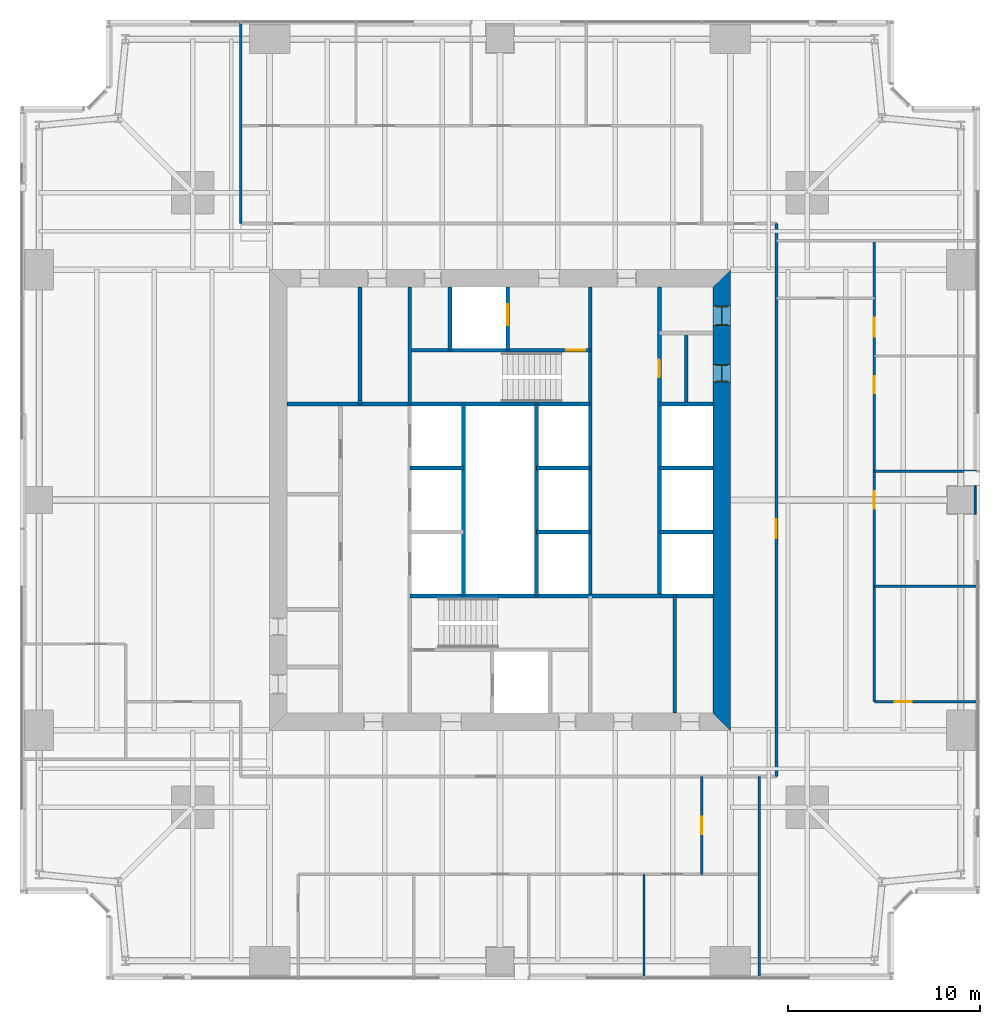
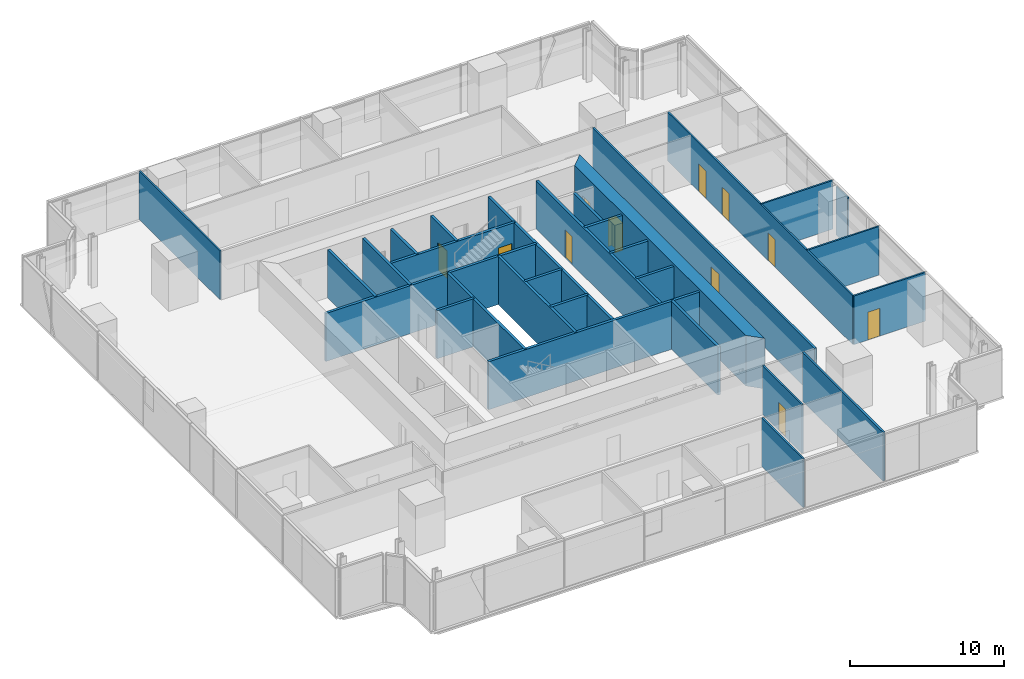
# One storey, part 10 of 13: 30 walls, 11 doors, 11 openings.
"""IFC4 building model written with IfcOpenShell, lengths in metres."""

from ifc_helpers import new_model, si_unit, direction, frame, frame_2d, origin, place, context, subcontext, project, spatial, polyline, rectangle, outline, extrude, material, layer, layer_set, type_object, element, fill, save


model = new_model("IFC4")

# Units and contexts
model_context = context("Model", 3, precision=1e-05, world=origin(), true_north=direction((0.0, 1.0)))
body_context = subcontext(model_context, "Body", "Model", "MODEL_VIEW")
ifc_project = project(units=[si_unit("LENGTHUNIT", "METRE"), si_unit("AREAUNIT", "SQUARE_METRE"), si_unit("VOLUMEUNIT", "CUBIC_METRE"), si_unit("PLANEANGLEUNIT", "RADIAN"), si_unit("MASSUNIT", "GRAM", prefix="KILO")], contexts=[model_context])

# Site, building, storey
site_placement = place(None, origin())
site = spatial("IfcSite", under=ifc_project, at=site_placement, CompositionType="ELEMENT")
building_placement = place(site_placement, origin())
building = spatial("IfcBuilding", under=site, at=building_placement, Name="Fenwick Lantern Interchange", CompositionType="ELEMENT")
storey_placement = place(building_placement, frame((0.0, 0.0, 110.39990234375)))
storey = spatial("IfcBuildingStorey", under=building, at=storey_placement, Name="L25", CompositionType="ELEMENT", Elevation=110.39990234375)

# Walls
ifc_material_1 = material(Name="Fire-rated gypsum board encasement on steel studs, 2 hour", Category="steel")
ifc_layer_1 = layer(ifc_material_1, 1.5)
ifc_layer_set_1 = layer_set([ifc_layer_1], Name="COLUMN PIER 1500")
wall_type_1 = type_object("IfcWallType", Name="COLUMN PIER 1500", PredefinedType="PARTITIONING", material=ifc_layer_set_1)
wall_1_placement = place(storey_placement, frame((49.800048828125, 25.0, 0.0), z_axis=(0.0, 0.0, 1.0), x_axis=(-1.0, 0.0, 0.0)))
element("IfcWall", 1, at=wall_1_placement, inside=storey, type_object=wall_type_1, Name="L25/W/PIER/CE3", PredefinedType="PARTITIONING", context=body_context, shape_type="SweptSolid", body=[
    extrude(rectangle(XDim=0.10009765625, YDim=1.5, at=frame_2d((0.050048828125, 0.0))), origin(), (0.0, 0.0, 1.0), 3.85009765625),
])
ifc_material_2 = material(Name="Concrete masonry ASTM C90 Grade N", Category="masonry")
ifc_layer_2 = layer(ifc_material_2, 0.199951171875)
ifc_layer_set_2 = layer_set([ifc_layer_2], Name="Concrete masonry ASTM C90 Grade N")
wall_type_2 = type_object("IfcWallType", Name="CORE PARTITION 200", PredefinedType="PARTITIONING", material=ifc_layer_set_2)
wall_2_placement = place(storey_placement, frame((20.300048828125, 26.666748046875, 0.0), z_axis=(0.0, 0.0, 1.0), x_axis=(1.0, 0.0, 0.0)))
element("IfcWall", 2, at=wall_2_placement, inside=storey, type_object=wall_type_2, Name="L25/W/CORES/e2", PredefinedType="PARTITIONING", context=body_context, shape_type="SweptSolid", body=[
    extrude(rectangle(XDim=2.800048828125, YDim=0.199951171875, at=frame_2d((1.39990234375, 0.0))), origin(), (0.0, 0.0, 1.0), 3.800048828125),
])
wall_3_placement = place(storey_placement, frame((23.10009765625, 20.0, 0.0), z_axis=(0.0, 0.0, 1.0), x_axis=(0.0, 1.0, 0.0)))
element("IfcWall", 3, at=wall_3_placement, inside=storey, type_object=wall_type_2, Name="L25/W/CORES/e3", PredefinedType="PARTITIONING", context=body_context, shape_type="SweptSolid", body=[
    extrude(rectangle(XDim=10.0, YDim=0.199951171875, at=frame_2d((5.0, 0.0))), origin(), (0.0, 0.0, 1.0), 3.800048828125),
])
wall_4_placement = place(storey_placement, frame((34.10009765625, 13.89990234375, 0.0), z_axis=(0.0, 0.0, 1.0), x_axis=(0.0, 1.0, 0.0)))
element("IfcWall", 4, at=wall_4_placement, inside=storey, type_object=wall_type_2, Name="L25/W/CORES/i2", PredefinedType="PARTITIONING", context=body_context, shape_type="SweptSolid", body=[
    extrude(rectangle(XDim=6.10009765625, YDim=0.199951171875, at=frame_2d((3.050048828125, 0.0))), origin(), (0.0, 0.0, 1.0), 3.800048828125),
])

# Wall, opening, door
wall_5_placement = place(storey_placement, frame((33.300048828125, 36.10009765625, 0.0), z_axis=(0.0, 0.0, 1.0), x_axis=(0.0, -1.0, 0.0)))
wall_5 = element("IfcWall", 5, at=wall_5_placement, inside=storey, type_object=wall_type_2, Name="L25/W/COREN/a", PredefinedType="PARTITIONING", context=body_context, shape_type="SweptSolid", body=[
    extrude(rectangle(XDim=16.10009765625, YDim=0.199951171875, at=frame_2d((8.050048828125, 0.0))), origin(), (0.0, 0.0, 1.0), 3.800048828125),
])
opening_1_placement = place(wall_5_placement, frame((3.800048828125, 0.0, 0.0)))
opening_1 = element("IfcOpeningElement", 6, at=opening_1_placement, cuts=wall_5, Name="Opening L25-D018", PredefinedType="OPENING", context=body_context, shape_type="SweptSolid", body=[
    extrude(rectangle(XDim=0.89990234375, YDim=2.199951171875, at=frame_2d((0.449951171875, 1.10009765625))), frame((0.0, 0.10986328125, 0.0), z_axis=(0.0, -1.0, 0.0), x_axis=(1.0, 0.0, 0.0)), (0.0, 0.0, 1.0), 0.219970703125),
])
ifc_material_3 = material(Name="Steel door and frame", Category="steel")
door_type_1 = type_object("IfcDoorType", Name="SERVICE DOOR 900 X 2200", OperationType="SINGLE_SWING_LEFT", PredefinedType="DOOR", material=ifc_material_3)
door_1_placement = place(opening_1_placement, origin())
door_1 = element("IfcDoor", 7, at=door_1_placement, inside=storey, type_object=door_type_1, Name="Service door", OperationType="SINGLE_SWING_LEFT", OverallHeight=2.199951171875, OverallWidth=0.89990234375, PredefinedType="DOOR", context=body_context, shape_type="SweptSolid", body=[
    extrude(rectangle(XDim=0.89990234375, YDim=2.199951171875, at=frame_2d((0.449951171875, 1.10009765625))), frame((0.0, 0.02490234375, 0.0), z_axis=(0.0, -1.0, 0.0), x_axis=(1.0, 0.0, 0.0)), (0.0, 0.0, 1.0), 0.050048828125),
])
fill(opening_1, door_1)

# Walls
for number, where, z_axis, x_axis, name in (
    (8, (36.10009765625, 30.0, 0.0), (0.0, 0.0, 1.0), (-1.0, 0.0, 0.0), "L25/W/COREN/c2"),
    (9, (36.10009765625, 26.666748046875, 0.0), (0.0, 0.0, 1.0), (-1.0, 0.0, 0.0), "L25/W/COREN/d1"),
    (10, (36.10009765625, 23.333251953125, 0.0), (0.0, 0.0, 1.0), (-1.0, 0.0, 0.0), "L25/W/COREN/d2"),
    (11, (29.699951171875, 26.666748046875, 0.0), (0.0, 0.0, 1.0), (-1.0, 0.0, 0.0), "L25/W/COREN/e1"),
    (12, (29.699951171875, 23.333251953125, 0.0), (0.0, 0.0, 1.0), (-1.0, 0.0, 0.0), "L25/W/COREN/e2"),
):
    element("IfcWall", number, at=place(storey_placement, frame(where, z_axis=z_axis, x_axis=x_axis)), inside=storey, type_object=wall_type_2, Name=name, PredefinedType="PARTITIONING", context=body_context, shape_type="SweptSolid", body=[
        extrude(rectangle(XDim=2.800048828125, YDim=0.199951171875, at=frame_2d((1.39990234375, 0.0))), origin(), (0.0, 0.0, 1.0), 3.800048828125),
    ])
wall_6_placement = place(storey_placement, frame((26.89990234375, 30.0, 0.0), z_axis=(0.0, 0.0, 1.0), x_axis=(0.0, -1.0, 0.0)))
element("IfcWall", 13, at=wall_6_placement, inside=storey, type_object=wall_type_2, Name="L25/W/COREN/e3", PredefinedType="PARTITIONING", context=body_context, shape_type="SweptSolid", body=[
    extrude(rectangle(XDim=10.0, YDim=0.199951171875, at=frame_2d((5.0, 0.0))), origin(), (0.0, 0.0, 1.0), 3.800048828125),
])

# Wall, opening, door
wall_7_placement = place(storey_placement, frame((25.39990234375, 36.10009765625, 0.0), z_axis=(0.0, 0.0, 1.0), x_axis=(0.0, -1.0, 0.0)))
wall_7 = element("IfcWall", 14, at=wall_7_placement, inside=storey, type_object=wall_type_2, Name="L25/W/COREN/h1", PredefinedType="PARTITIONING", context=body_context, shape_type="SweptSolid", body=[
    extrude(rectangle(XDim=3.300048828125, YDim=0.199951171875, at=frame_2d((1.64990234375, 0.0))), origin(), (0.0, 0.0, 1.0), 3.800048828125),
])
opening_2_placement = place(wall_7_placement, frame((0.89990234375, 0.0, 0.0)))
opening_2 = element("IfcOpeningElement", 15, at=opening_2_placement, cuts=wall_7, Name="Opening LD-FL2", PredefinedType="OPENING", context=body_context, shape_type="SweptSolid", body=[
    extrude(rectangle(XDim=1.10009765625, YDim=2.199951171875, at=frame_2d((0.550048828125, 1.10009765625))), frame((0.0, 0.10986328125, 0.0), z_axis=(0.0, -1.0, 0.0), x_axis=(1.0, 0.0, 0.0)), (0.0, 0.0, 1.0), 0.219970703125),
])
door_type_2 = type_object("IfcDoorType", Name="LIFT LANDING DOOR 1100 X 2200", OperationType="DOUBLE_DOOR_SLIDING", PredefinedType="DOOR", material=ifc_material_3)
door_2_placement = place(opening_2_placement, origin())
door_2 = element("IfcDoor", 16, at=door_2_placement, inside=storey, type_object=door_type_2, Name="Lift landing door FL2", OperationType="DOUBLE_DOOR_SLIDING", OverallHeight=2.199951171875, OverallWidth=1.10009765625, PredefinedType="DOOR", context=body_context, shape_type="SweptSolid", body=[
    extrude(rectangle(XDim=1.10009765625, YDim=2.199951171875, at=frame_2d((0.550048828125, 1.10009765625))), frame((0.0, 0.02490234375, 0.0), z_axis=(0.0, -1.0, 0.0), x_axis=(1.0, 0.0, 0.0)), (0.0, 0.0, 1.0), 0.050048828125),
])
fill(opening_2, door_2)

# Walls
wall_8_placement = place(storey_placement, frame((22.39990234375, 36.10009765625, 0.0), z_axis=(0.0, 0.0, 1.0), x_axis=(0.0, -1.0, 0.0)))
element("IfcWall", 17, at=wall_8_placement, inside=storey, type_object=wall_type_2, Name="L25/W/COREN/h2", PredefinedType="PARTITIONING", context=body_context, shape_type="SweptSolid", body=[
    extrude(rectangle(XDim=3.300048828125, YDim=0.199951171875, at=frame_2d((1.64990234375, 0.0))), origin(), (0.0, 0.0, 1.0), 3.800048828125),
])
wall_9_placement = place(storey_placement, frame((17.699951171875, 36.10009765625, 0.0), z_axis=(0.0, 0.0, 1.0), x_axis=(0.0, -1.0, 0.0)))
element("IfcWall", 18, at=wall_9_placement, inside=storey, type_object=wall_type_2, Name="L25/W/COREN/i2", PredefinedType="PARTITIONING", context=body_context, shape_type="SweptSolid", body=[
    extrude(rectangle(XDim=6.10009765625, YDim=0.199951171875, at=frame_2d((3.050048828125, 0.0))), origin(), (0.0, 0.0, 1.0), 3.800048828125),
])
wall_10_placement = place(storey_placement, frame((34.699951171875, 33.699951171875, 0.0), z_axis=(0.0, 0.0, 1.0), x_axis=(0.0, -1.0, 0.0)))
element("IfcWall", 19, at=wall_10_placement, inside=storey, type_object=wall_type_2, Name="L25/W/COREN/px", PredefinedType="PARTITIONING", context=body_context, shape_type="SweptSolid", body=[
    extrude(rectangle(XDim=3.699951171875, YDim=0.199951171875, at=frame_2d((1.85009765625, 0.0))), origin(), (0.0, 0.0, 1.0), 3.800048828125),
])

# Wall, openings, doors
ifc_material_4 = material(Name="Concrete f'c 70 MPa", Category="concrete")
ifc_layer_3 = layer(ifc_material_4, 0.89990234375)
ifc_layer_set_3 = layer_set([ifc_layer_3], Name="CORE WALL 900")
wall_type_3 = type_object("IfcWallType", Name="CORE WALL 900", PredefinedType="SHEAR", material=ifc_layer_set_3)
wall_11_placement = place(storey_placement, frame((36.550048828125, 13.89990234375, 0.0), z_axis=(0.0, 0.0, 1.0), x_axis=(0.0, 1.0, 0.0)))
wall_11 = element("IfcWall", 20, at=wall_11_placement, inside=storey, type_object=wall_type_3, Name="L25/CORE/E", PredefinedType="SHEAR", context=body_context, shape_type="SweptSolid", body=[
    extrude(outline(polyline([(-0.89990234375, -0.449951171875), (23.10009765625, -0.449951171875), (22.199951171875, 0.449951171875), (0.0, 0.449951171875), (-0.89990234375, -0.449951171875)])), origin(), (0.0, 0.0, 1.0), 4.0),
])
opening_3_placement = place(wall_11_placement, frame((20.199951171875, 0.0, 0.0)))
opening_3 = element("IfcOpeningElement", 21, at=opening_3_placement, cuts=wall_11, Name="Opening L25-D017", PredefinedType="OPENING", context=body_context, shape_type="SweptSolid", body=[
    extrude(rectangle(XDim=1.0, YDim=2.199951171875, at=frame_2d((0.5, 1.10009765625))), frame((0.0, 0.4599609375, 0.0), z_axis=(0.0, -1.0, 0.0), x_axis=(1.0, 0.0, 0.0)), (0.0, 0.0, 1.0), 0.919921875),
])
opening_4_placement = place(wall_11_placement, frame((17.25, 0.0, 0.0)))
opening_4 = element("IfcOpeningElement", 22, at=opening_4_placement, cuts=wall_11, Name="Opening L25-D019", PredefinedType="OPENING", context=body_context, shape_type="SweptSolid", body=[
    extrude(rectangle(XDim=0.89990234375, YDim=2.199951171875, at=frame_2d((0.449951171875, 1.10009765625))), frame((0.0, 0.4599609375, 0.0), z_axis=(0.0, -1.0, 0.0), x_axis=(1.0, 0.0, 0.0)), (0.0, 0.0, 1.0), 0.919921875),
])
door_type_3 = type_object("IfcDoorType", Name="SERVICE DOOR 1000 X 2200", OperationType="SINGLE_SWING_LEFT", PredefinedType="DOOR", material=ifc_material_3)
door_3_placement = place(opening_3_placement, origin())
door_3 = element("IfcDoor", 23, at=door_3_placement, inside=storey, type_object=door_type_3, Name="Service door", OperationType="SINGLE_SWING_LEFT", OverallHeight=2.199951171875, OverallWidth=1.0, PredefinedType="DOOR", context=body_context, shape_type="SweptSolid", body=[
    extrude(rectangle(XDim=1.0, YDim=2.199951171875, at=frame_2d((0.5, 1.10009765625))), frame((0.0, 0.02490234375, 0.0), z_axis=(0.0, -1.0, 0.0), x_axis=(1.0, 0.0, 0.0)), (0.0, 0.0, 1.0), 0.050048828125),
    extrude(outline(polyline([(0.0, 0.0), (0.0400390625, 0.0), (0.0400390625, 2.159912109375), (0.9599609375, 2.159912109375), (0.9599609375, 0.0), (1.0, 0.0), (1.0, 2.199951171875), (0.0, 2.199951171875), (0.0, 0.0)])), frame((0.0, 0.300048828125, 0.0), z_axis=(0.0, -1.0, 0.0), x_axis=(1.0, 0.0, 0.0)), (0.0, 0.0, 1.0), 0.60009765625),
])
fill(opening_3, door_3)
door_4_placement = place(opening_4_placement, origin())
door_4 = element("IfcDoor", 24, at=door_4_placement, inside=storey, type_object=door_type_1, Name="Service door", OperationType="SINGLE_SWING_LEFT", OverallHeight=2.199951171875, OverallWidth=0.89990234375, PredefinedType="DOOR", context=body_context, shape_type="SweptSolid", body=[
    extrude(rectangle(XDim=0.89990234375, YDim=2.199951171875, at=frame_2d((0.449951171875, 1.10009765625))), frame((0.0, 0.02490234375, 0.0), z_axis=(0.0, -1.0, 0.0), x_axis=(1.0, 0.0, 0.0)), (0.0, 0.0, 1.0), 0.050048828125),
    extrude(outline(polyline([(0.0, 0.0), (0.0400390625, 0.0), (0.0400390625, 2.159912109375), (0.85986328125, 2.159912109375), (0.85986328125, 0.0), (0.89990234375, 0.0), (0.89990234375, 2.199951171875), (0.0, 2.199951171875), (0.0, 0.0)])), frame((0.0, 0.300048828125, 0.0), z_axis=(0.0, -1.0, 0.0), x_axis=(1.0, 0.0, 0.0)), (0.0, 0.0, 1.0), 0.60009765625),
])
fill(opening_4, door_4)

# Wall, opening, door
ifc_material_5 = material(Name="Gypsum board on steel studs, 1 hour", Category="steel")
ifc_layer_4 = layer(ifc_material_5, 0.14990234375)
ifc_layer_set_4 = layer_set([ifc_layer_4], Name="CORRIDOR WALL 150")
wall_type_4 = type_object("IfcWallType", Name="CORRIDOR WALL 150", PredefinedType="PARTITIONING", material=ifc_layer_set_4)
wall_12_placement = place(storey_placement, frame((39.39990234375, 10.60009765625, 0.0), z_axis=(0.0, 0.0, 1.0), x_axis=(0.0, 1.0, 0.0)))
wall_12 = element("IfcWall", 25, at=wall_12_placement, inside=storey, type_object=wall_type_4, Name="L25/W/OFF/E/CW2", PredefinedType="PARTITIONING", context=body_context, shape_type="SweptSolid", body=[
    extrude(rectangle(XDim=28.7998046875, YDim=0.14990234375, at=frame_2d((14.39990234375, 0.0))), origin(), (0.0, 0.0, 1.0), 3.85009765625),
])
opening_5_placement = place(wall_12_placement, frame((12.39990234375, 0.0, 0.0)))
opening_5 = element("IfcOpeningElement", 26, at=opening_5_placement, cuts=wall_12, Name="Opening L25-D026", PredefinedType="OPENING", context=body_context, shape_type="SweptSolid", body=[
    extrude(rectangle(XDim=1.0, YDim=2.199951171875, at=frame_2d((0.5, 1.10009765625))), frame((0.0, 0.0849609375, 0.0), z_axis=(0.0, -1.0, 0.0), x_axis=(1.0, 0.0, 0.0)), (0.0, 0.0, 1.0), 0.169921875),
])
door_type_4 = type_object("IfcDoorType", Name="SUITE ENTRANCE DOOR 1000 X 2200", OperationType="SINGLE_SWING_LEFT", PredefinedType="DOOR", material=ifc_material_3)
door_5_placement = place(opening_5_placement, frame((1.0, 0.0, 0.0), z_axis=(0.0, 0.0, 1.0), x_axis=(-1.0, 0.0, 0.0)))
door_5 = element("IfcDoor", 27, at=door_5_placement, inside=storey, type_object=door_type_4, Name="Suite entrance door", OperationType="SINGLE_SWING_LEFT", OverallHeight=2.199951171875, OverallWidth=1.0, PredefinedType="DOOR", context=body_context, shape_type="SweptSolid", body=[
    extrude(rectangle(XDim=1.0, YDim=2.199951171875, at=frame_2d((0.5, 1.10009765625))), frame((0.0, 0.02490234375, 0.0), z_axis=(0.0, -1.0, 0.0), x_axis=(1.0, 0.0, 0.0)), (0.0, 0.0, 1.0), 0.050048828125),
])
fill(opening_5, door_5)

# Wall
ifc_material_6 = material(Name="Gypsum board on steel studs, acoustic", Category="steel")
ifc_layer_5 = layer(ifc_material_6, 0.125)
ifc_layer_set_5 = layer_set([ifc_layer_5], Name="OFFICE PARTITION 125")
wall_type_5 = type_object("IfcWallType", Name="OFFICE PARTITION 125", PredefinedType="PARTITIONING", material=ifc_layer_set_5)
wall_13_placement = place(storey_placement, frame((32.5, 0.14990234375, 0.0), z_axis=(0.0, 0.0, 1.0), x_axis=(0.0, 1.0, 0.0)))
element("IfcWall", 28, at=wall_13_placement, inside=storey, type_object=wall_type_5, Name="L25/W/OFF/S/X325-1", PredefinedType="PARTITIONING", context=body_context, shape_type="SweptSolid", body=[
    extrude(rectangle(XDim=5.35009765625, YDim=0.125, at=frame_2d((2.675048828125, 0.0))), origin(), (0.0, 0.0, 1.0), 3.85009765625),
])

# Wall, opening, door
wall_14_placement = place(storey_placement, frame((35.5, 5.5, 0.0), z_axis=(0.0, 0.0, 1.0), x_axis=(0.0, 1.0, 0.0)))
wall_14 = element("IfcWall", 29, at=wall_14_placement, inside=storey, type_object=wall_type_5, Name="L25/W/OFF/S/X355-1", PredefinedType="PARTITIONING", context=body_context, shape_type="SweptSolid", body=[
    extrude(rectangle(XDim=5.10009765625, YDim=0.125, at=frame_2d((2.550048828125, 0.0))), origin(), (0.0, 0.0, 1.0), 3.85009765625),
])
opening_6_placement = place(wall_14_placement, frame((2.10009765625, 0.0, 0.0)))
opening_6 = element("IfcOpeningElement", 30, at=opening_6_placement, cuts=wall_14, Name="Opening L25-D025", PredefinedType="OPENING", context=body_context, shape_type="SweptSolid", body=[
    extrude(rectangle(XDim=0.89990234375, YDim=2.199951171875, at=frame_2d((0.449951171875, 1.10009765625))), frame((0.0, 0.072509765625, 0.0), z_axis=(0.0, -1.0, 0.0), x_axis=(1.0, 0.0, 0.0)), (0.0, 0.0, 1.0), 0.14501953125),
])
ifc_material_7 = material(Name="Hardwood door and steel frame", Category="steel")
door_type_5 = type_object("IfcDoorType", Name="OFFICE DOOR 900 X 2200", OperationType="SINGLE_SWING_LEFT", PredefinedType="DOOR", material=ifc_material_7)
door_6_placement = place(opening_6_placement, frame((0.89990234375, 0.0, 0.0), z_axis=(0.0, 0.0, 1.0), x_axis=(-1.0, 0.0, 0.0)))
door_6 = element("IfcDoor", 31, at=door_6_placement, inside=storey, type_object=door_type_5, Name="Office door", OperationType="SINGLE_SWING_RIGHT", OverallHeight=2.199951171875, OverallWidth=0.89990234375, PredefinedType="DOOR", context=body_context, shape_type="SweptSolid", body=[
    extrude(rectangle(XDim=0.89990234375, YDim=2.199951171875, at=frame_2d((0.449951171875, 1.10009765625))), frame((0.0, 0.02490234375, 0.0), z_axis=(0.0, -1.0, 0.0), x_axis=(1.0, 0.0, 0.0)), (0.0, 0.0, 1.0), 0.050048828125),
])
fill(opening_6, door_6)

wall_15_placement = place(storey_placement, frame((49.85009765625, 14.5, 0.0), z_axis=(0.0, 0.0, 1.0), x_axis=(-1.0, 0.0, 0.0)))
wall_15 = element("IfcWall", 32, at=wall_15_placement, inside=storey, type_object=wall_type_5, Name="L25/W/OFF/E/X145-1", PredefinedType="PARTITIONING", context=body_context, shape_type="SweptSolid", body=[
    extrude(rectangle(XDim=5.35009765625, YDim=0.125, at=frame_2d((2.675048828125, 0.0))), origin(), (0.0, 0.0, 1.0), 3.85009765625),
])
opening_7_placement = place(wall_15_placement, frame((3.39990234375, 0.0, 0.0)))
opening_7 = element("IfcOpeningElement", 33, at=opening_7_placement, cuts=wall_15, Name="Opening L25-D027", PredefinedType="OPENING", context=body_context, shape_type="SweptSolid", body=[
    extrude(rectangle(XDim=0.89990234375, YDim=2.199951171875, at=frame_2d((0.449951171875, 1.10009765625))), frame((0.0, 0.072509765625, 0.0), z_axis=(0.0, -1.0, 0.0), x_axis=(1.0, 0.0, 0.0)), (0.0, 0.0, 1.0), 0.14501953125),
])
door_7_placement = place(opening_7_placement, frame((0.89990234375, 0.0, 0.0), z_axis=(0.0, 0.0, 1.0), x_axis=(-1.0, 0.0, 0.0)))
door_7 = element("IfcDoor", 34, at=door_7_placement, inside=storey, type_object=door_type_5, Name="Office door", OperationType="SINGLE_SWING_LEFT", OverallHeight=2.199951171875, OverallWidth=0.89990234375, PredefinedType="DOOR", context=body_context, shape_type="SweptSolid", body=[
    extrude(rectangle(XDim=0.89990234375, YDim=2.199951171875, at=frame_2d((0.449951171875, 1.10009765625))), frame((0.0, 0.02490234375, 0.0), z_axis=(0.0, -1.0, 0.0), x_axis=(1.0, 0.0, 0.0)), (0.0, 0.0, 1.0), 0.050048828125),
])
fill(opening_7, door_7)

# Walls
for number, where, z_axis, x_axis, name in (
    (35, (49.85009765625, 20.5, 0.0), (0.0, 0.0, 1.0), (-1.0, 0.0, 0.0), "L25/W/OFF/E/X205-1"),
    (36, (49.85009765625, 26.5, 0.0), (0.0, 0.0, 1.0), (-1.0, 0.0, 0.0), "L25/W/OFF/E/X265-1"),
):
    element("IfcWall", number, at=place(storey_placement, frame(where, z_axis=z_axis, x_axis=x_axis)), inside=storey, type_object=wall_type_5, Name=name, PredefinedType="PARTITIONING", context=body_context, shape_type="SweptSolid", body=[
        extrude(rectangle(XDim=5.35009765625, YDim=0.125, at=frame_2d((2.675048828125, 0.0))), origin(), (0.0, 0.0, 1.0), 3.85009765625),
    ])

# Wall, openings, doors
wall_16_placement = place(storey_placement, frame((44.5, 14.5, 0.0), z_axis=(0.0, 0.0, 1.0), x_axis=(0.0, 1.0, 0.0)))
wall_16 = element("IfcWall", 37, at=wall_16_placement, inside=storey, type_object=wall_type_5, Name="L25/W/OFF/E/Y55-1", PredefinedType="PARTITIONING", context=body_context, shape_type="SweptSolid", body=[
    extrude(rectangle(XDim=24.0, YDim=0.125, at=frame_2d((12.0, 0.0))), origin(), (0.0, 0.0, 1.0), 3.85009765625),
])
opening_8_placement = place(wall_16_placement, frame((10.050048828125, 0.0, 0.0)))
opening_8 = element("IfcOpeningElement", 38, at=opening_8_placement, cuts=wall_16, Name="Opening L25-D028", PredefinedType="OPENING", context=body_context, shape_type="SweptSolid", body=[
    extrude(rectangle(XDim=0.89990234375, YDim=2.199951171875, at=frame_2d((0.449951171875, 1.10009765625))), frame((0.0, 0.072509765625, 0.0), z_axis=(0.0, -1.0, 0.0), x_axis=(1.0, 0.0, 0.0)), (0.0, 0.0, 1.0), 0.14501953125),
])
opening_9_placement = place(wall_16_placement, frame((16.050048828125, 0.0, 0.0)))
opening_9 = element("IfcOpeningElement", 39, at=opening_9_placement, cuts=wall_16, Name="Opening L25-D029", PredefinedType="OPENING", context=body_context, shape_type="SweptSolid", body=[
    extrude(rectangle(XDim=0.89990234375, YDim=2.199951171875, at=frame_2d((0.449951171875, 1.10009765625))), frame((0.0, 0.072509765625, 0.0), z_axis=(0.0, -1.0, 0.0), x_axis=(1.0, 0.0, 0.0)), (0.0, 0.0, 1.0), 0.14501953125),
])
opening_10_placement = place(wall_16_placement, frame((19.0, 0.0, 0.0)))
opening_10 = element("IfcOpeningElement", 40, at=opening_10_placement, cuts=wall_16, Name="Opening L25-D030", PredefinedType="OPENING", context=body_context, shape_type="SweptSolid", body=[
    extrude(rectangle(XDim=1.0, YDim=2.199951171875, at=frame_2d((0.5, 1.10009765625))), frame((0.0, 0.072509765625, 0.0), z_axis=(0.0, -1.0, 0.0), x_axis=(1.0, 0.0, 0.0)), (0.0, 0.0, 1.0), 0.14501953125),
])
door_type_6 = type_object("IfcDoorType", Name="MEETING ROOM DOOR 1000 X 2200", OperationType="SINGLE_SWING_LEFT", PredefinedType="DOOR", material=ifc_material_7)
door_8_placement = place(opening_10_placement, frame((1.0, 0.0, 0.0), z_axis=(0.0, 0.0, 1.0), x_axis=(-1.0, 0.0, 0.0)))
door_8 = element("IfcDoor", 41, at=door_8_placement, inside=storey, type_object=door_type_6, Name="Meeting room door", OperationType="SINGLE_SWING_RIGHT", OverallHeight=2.199951171875, OverallWidth=1.0, PredefinedType="DOOR", context=body_context, shape_type="SweptSolid", body=[
    extrude(rectangle(XDim=1.0, YDim=2.199951171875, at=frame_2d((0.5, 1.10009765625))), frame((0.0, 0.02490234375, 0.0), z_axis=(0.0, -1.0, 0.0), x_axis=(1.0, 0.0, 0.0)), (0.0, 0.0, 1.0), 0.050048828125),
])
fill(opening_10, door_8)
door_9_placement = place(opening_8_placement, frame((0.89990234375, 0.0, 0.0), z_axis=(0.0, 0.0, 1.0), x_axis=(-1.0, 0.0, 0.0)))
door_9 = element("IfcDoor", 42, at=door_9_placement, inside=storey, type_object=door_type_5, Name="Office door", OperationType="SINGLE_SWING_LEFT", OverallHeight=2.199951171875, OverallWidth=0.89990234375, PredefinedType="DOOR", context=body_context, shape_type="SweptSolid", body=[
    extrude(rectangle(XDim=0.89990234375, YDim=2.199951171875, at=frame_2d((0.449951171875, 1.10009765625))), frame((0.0, 0.02490234375, 0.0), z_axis=(0.0, -1.0, 0.0), x_axis=(1.0, 0.0, 0.0)), (0.0, 0.0, 1.0), 0.050048828125),
])
fill(opening_8, door_9)
door_10_placement = place(opening_9_placement, frame((0.89990234375, 0.0, 0.0), z_axis=(0.0, 0.0, 1.0), x_axis=(-1.0, 0.0, 0.0)))
door_10 = element("IfcDoor", 43, at=door_10_placement, inside=storey, type_object=door_type_5, Name="Office door", OperationType="SINGLE_SWING_LEFT", OverallHeight=2.199951171875, OverallWidth=0.89990234375, PredefinedType="DOOR", context=body_context, shape_type="SweptSolid", body=[
    extrude(rectangle(XDim=0.89990234375, YDim=2.199951171875, at=frame_2d((0.449951171875, 1.10009765625))), frame((0.0, 0.02490234375, 0.0), z_axis=(0.0, -1.0, 0.0), x_axis=(1.0, 0.0, 0.0)), (0.0, 0.0, 1.0), 0.050048828125),
])
fill(opening_9, door_10)

# Walls
wall_17_placement = place(storey_placement, frame((11.5, 49.85009765625, 0.0), z_axis=(0.0, 0.0, 1.0), x_axis=(0.0, -1.0, 0.0)))
element("IfcWall", 44, at=wall_17_placement, inside=storey, type_object=wall_type_5, Name="L25/W/OFF/W/BACK", PredefinedType="PARTITIONING", context=body_context, shape_type="SweptSolid", body=[
    extrude(rectangle(XDim=10.4501953125, YDim=0.125, at=frame_2d((5.22509765625, 0.0))), origin(), (0.0, 0.0, 1.0), 3.85009765625),
])
ifc_material_8 = material(Name="Concrete f'c 45 MPa", Category="concrete")
ifc_layer_6 = layer(ifc_material_8, 0.199951171875)
ifc_layer_set_6 = layer_set([ifc_layer_6], Name="STAIR CORE WALL 200")
wall_type_6 = type_object("IfcWallType", Name="STAIR CORE WALL 200", PredefinedType="SOLIDWALL", material=ifc_layer_set_6)
wall_18_placement = place(storey_placement, frame((20.300048828125, 20.0, 0.0), z_axis=(0.0, 0.0, 1.0), x_axis=(1.0, 0.0, 0.0)))
element("IfcWall", 45, at=wall_18_placement, inside=storey, type_object=wall_type_6, Name="L25/W/CORES/g2", PredefinedType="SOLIDWALL", context=body_context, shape_type="SweptSolid", body=[
    extrude(rectangle(XDim=15.800048828125, YDim=0.199951171875, at=frame_2d((7.89990234375, 0.0))), origin(), (0.0, 0.0, 1.0), 3.800048828125),
])
wall_19_placement = place(storey_placement, frame((29.699951171875, 36.10009765625, 0.0), z_axis=(0.0, 0.0, 1.0), x_axis=(0.0, -1.0, 0.0)))
element("IfcWall", 46, at=wall_19_placement, inside=storey, type_object=wall_type_6, Name="L25/W/COREN/b", PredefinedType="SOLIDWALL", context=body_context, shape_type="SweptSolid", body=[
    extrude(rectangle(XDim=16.10009765625, YDim=0.199951171875, at=frame_2d((8.050048828125, 0.0))), origin(), (0.0, 0.0, 1.0), 3.800048828125),
])

# Wall, opening, door
wall_20_placement = place(storey_placement, frame((29.699951171875, 32.800048828125, 0.0), z_axis=(0.0, 0.0, 1.0), x_axis=(-1.0, 0.0, 0.0)))
wall_20 = element("IfcWall", 47, at=wall_20_placement, inside=storey, type_object=wall_type_6, Name="L25/W/COREN/g1", PredefinedType="SOLIDWALL", context=body_context, shape_type="SweptSolid", body=[
    extrude(rectangle(XDim=9.39990234375, YDim=0.199951171875, at=frame_2d((4.699951171875, 0.0))), origin(), (0.0, 0.0, 1.0), 3.800048828125),
])
opening_11_placement = place(wall_20_placement, frame((0.25, 0.0, 0.0)))
opening_11 = element("IfcOpeningElement", 48, at=opening_11_placement, cuts=wall_20, Name="Opening L25-D013", PredefinedType="OPENING", context=body_context, shape_type="SweptSolid", body=[
    extrude(rectangle(XDim=1.0, YDim=2.199951171875, at=frame_2d((0.5, 1.10009765625))), frame((0.0, 0.10986328125, 0.0), z_axis=(0.0, -1.0, 0.0), x_axis=(1.0, 0.0, 0.0)), (0.0, 0.0, 1.0), 0.219970703125),
])
door_type_7 = type_object("IfcDoorType", Name="STAIR DOOR 1000 X 2200", OperationType="SINGLE_SWING_LEFT", PredefinedType="DOOR", material=ifc_material_3)
door_11_placement = place(opening_11_placement, origin())
door_11 = element("IfcDoor", 49, at=door_11_placement, inside=storey, type_object=door_type_7, Name="Stair door", OperationType="SINGLE_SWING_LEFT", OverallHeight=2.199951171875, OverallWidth=1.0, PredefinedType="DOOR", context=body_context, shape_type="SweptSolid", body=[
    extrude(rectangle(XDim=1.0, YDim=2.199951171875, at=frame_2d((0.5, 1.10009765625))), frame((0.0, 0.02490234375, 0.0), z_axis=(0.0, -1.0, 0.0), x_axis=(1.0, 0.0, 0.0)), (0.0, 0.0, 1.0), 0.050048828125),
])
fill(opening_11, door_11)

# Walls
wall_21_placement = place(storey_placement, frame((29.699951171875, 30.0, 0.0), z_axis=(0.0, 0.0, 1.0), x_axis=(-1.0, 0.0, 0.0)))
element("IfcWall", 50, at=wall_21_placement, inside=storey, type_object=wall_type_6, Name="L25/W/COREN/g2", PredefinedType="SOLIDWALL", context=body_context, shape_type="SweptSolid", body=[
    extrude(rectangle(XDim=15.800048828125, YDim=0.199951171875, at=frame_2d((7.89990234375, 0.0))), origin(), (0.0, 0.0, 1.0), 3.800048828125),
])
wall_22_placement = place(storey_placement, frame((20.300048828125, 36.10009765625, 0.0), z_axis=(0.0, 0.0, 1.0), x_axis=(0.0, -1.0, 0.0)))
element("IfcWall", 51, at=wall_22_placement, inside=storey, type_object=wall_type_6, Name="L25/W/COREN/i1", PredefinedType="SOLIDWALL", context=body_context, shape_type="SweptSolid", body=[
    extrude(rectangle(XDim=6.10009765625, YDim=0.199951171875, at=frame_2d((3.050048828125, 0.0))), origin(), (0.0, 0.0, 1.0), 3.800048828125),
])
ifc_material_9 = material(Name="Gypsum board on steel studs, 1 hour acoustic", Category="steel")
ifc_layer_7 = layer(ifc_material_9, 0.14990234375)
ifc_layer_set_7 = layer_set([ifc_layer_7], Name="TENANT WALL 150")
wall_type_7 = type_object("IfcWallType", Name="TENANT WALL 150", PredefinedType="PARTITIONING", material=ifc_layer_set_7)
wall_23_placement = place(storey_placement, frame((38.5, 0.14990234375, 0.0), z_axis=(0.0, 0.0, 1.0), x_axis=(0.0, 1.0, 0.0)))
element("IfcWall", 52, at=wall_23_placement, inside=storey, type_object=wall_type_7, Name="L25/W/OFF/E/BACK", PredefinedType="PARTITIONING", context=body_context, shape_type="SweptSolid", body=[
    extrude(rectangle(XDim=10.4501953125, YDim=0.14990234375, at=frame_2d((5.22509765625, 0.0))), origin(), (0.0, 0.0, 1.0), 3.85009765625),
])

save(model, "model.ifc")
